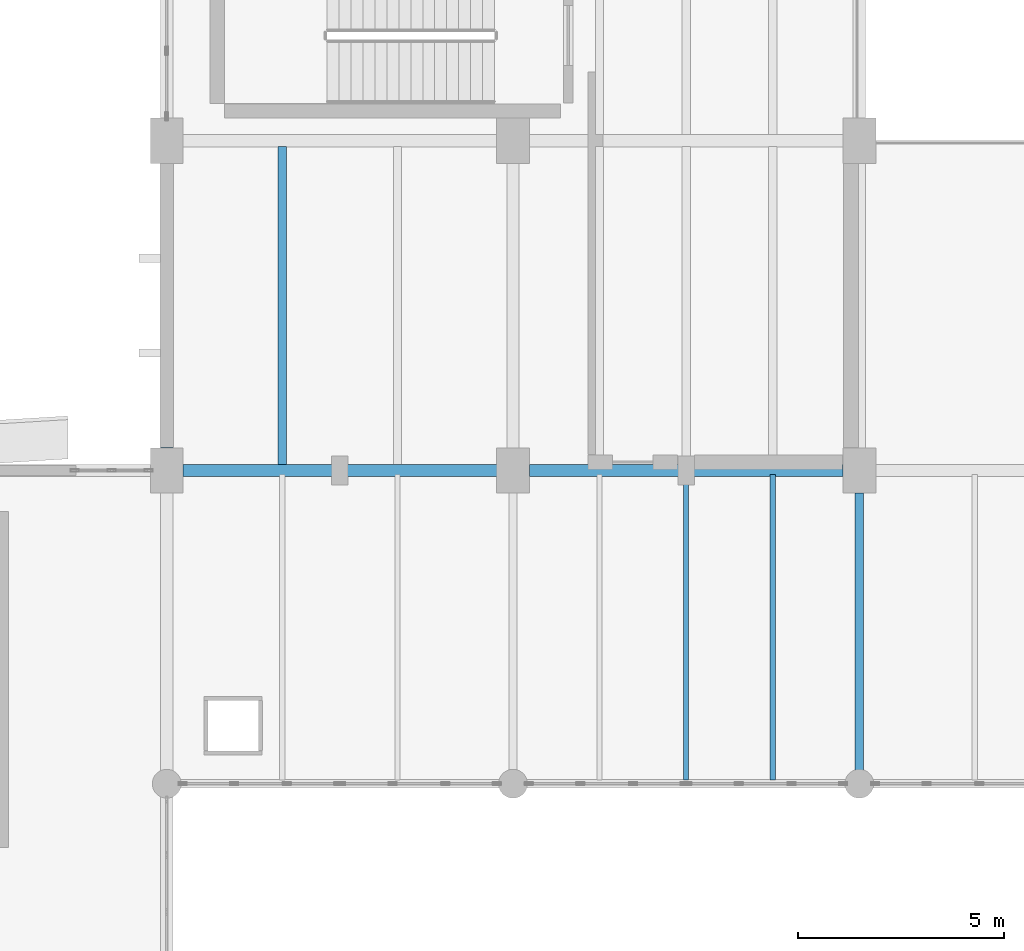
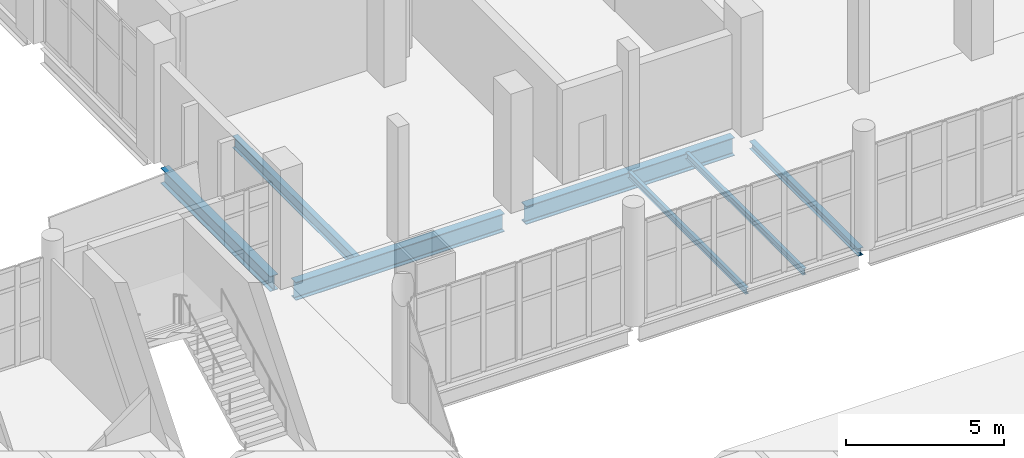
# One storey, part 46 of 136: 7 beams.
"""IFC4 building model written with IfcOpenShell, lengths in metres."""

from ifc_helpers import new_model, si_unit, direction, frame, origin, origin_2d, place, context, subcontext, project, spatial, i_section, extrude, material, material_profile, profile_set, type_object, element, save


model = new_model("IFC4")

# Units and contexts
model_context = context("Model", 3, precision=1e-05, world=origin(), true_north=direction((0.0, 1.0)))
body_context = subcontext(model_context, "Body", "Model", "MODEL_VIEW")
ifc_project = project(units=[si_unit("LENGTHUNIT", "METRE"), si_unit("AREAUNIT", "SQUARE_METRE"), si_unit("VOLUMEUNIT", "CUBIC_METRE"), si_unit("PLANEANGLEUNIT", "RADIAN"), si_unit("MASSUNIT", "GRAM", prefix="KILO")], contexts=[model_context])

# Site, building, storey
site_placement = place(None, origin())
site = spatial("IfcSite", under=ifc_project, at=site_placement, CompositionType="ELEMENT")
building_placement = place(site_placement, origin())
building = spatial("IfcBuilding", under=site, at=building_placement, Name="Shengluoqiao Park Theatre", CompositionType="ELEMENT")
storey_placement = place(building_placement, frame((0.0, 0.0, 10.0)))
storey = spatial("IfcBuildingStorey", under=building, at=storey_placement, Name="L02", CompositionType="ELEMENT", Elevation=10.0)

# Beams
ifc_material_1 = material(Name="Steel Q355", Category="steel")
ifc_material_profile_1 = material_profile(ifc_material_1, i_section(OverallWidth=0.199951171875, OverallDepth=0.2939453125, WebThickness=0.008056640625, FlangeThickness=0.011962890625, FilletRadius=0.01611328125, at=origin_2d()), Name="HM 294x200x8x12")
ifc_profile_set_1 = profile_set([ifc_material_profile_1], Name="Steel Q355")
beam_type_1 = type_object("IfcBeamType", Name="STR-BM-G-HM294", PredefinedType="BEAM", material=ifc_profile_set_1)
beam_1_placement = place(storey_placement, frame((61.199951171875, 68.593994140625, -0.39697265625), z_axis=(0.0, 1.0, 0.0), x_axis=(-1.0, 0.0, 0.0)))
element("IfcBeam", 1, at=beam_1_placement, inside=storey, type_object=beam_type_1, Name="L02 Transverse Girder 00992", PredefinedType="BEAM", context=body_context, shape_type="SweptSolid", body=[
    extrude(i_section(OverallWidth=0.199951171875, OverallDepth=0.2939453125, WebThickness=0.008056640625, FlangeThickness=0.011962890625, FilletRadius=0.01611328125, at=origin_2d()), origin(), (0.0, 0.0, 1.0), 6.862060546875),
])
ifc_material_profile_2 = material_profile(ifc_material_1, i_section(OverallWidth=0.300048828125, OverallDepth=0.587890625, WebThickness=0.011962890625, FlangeThickness=0.02001953125, FilletRadius=0.02392578125, at=origin_2d()), Name="HM 588x300x12x20")
ifc_profile_set_2 = profile_set([ifc_material_profile_2], Name="Steel Q355")
beam_type_2 = type_object("IfcBeamType", Name="STR-BM-G-HM588", PredefinedType="BEAM", material=ifc_profile_set_2)
beam_2_placement = place(storey_placement, frame((44.39990234375, 76.5439453125, -0.533935546875), z_axis=(0.0, 1.0, 0.0), x_axis=(-1.0, 0.0, 0.0)))
element("IfcBeam", 2, at=beam_2_placement, inside=storey, type_object=beam_type_2, Name="L02 Transverse Girder 00798", PredefinedType="BEAM", context=body_context, shape_type="SweptSolid", body=[
    extrude(i_section(OverallWidth=0.300048828125, OverallDepth=0.587890625, WebThickness=0.011962890625, FlangeThickness=0.02001953125, FilletRadius=0.02392578125, at=origin_2d()), origin(), (0.0, 0.0, 1.0), 6.912109375),
])
ifc_material_2 = material(Name="Steel Q390", Category="steel")
ifc_material_profile_3 = material_profile(ifc_material_2, i_section(OverallWidth=0.300048828125, OverallDepth=0.699951171875, WebThickness=0.012939453125, FlangeThickness=0.02392578125, FilletRadius=0.02392578125, at=origin_2d()), Name="HN 700x300x13x24")
ifc_profile_set_3 = profile_set([ifc_material_profile_3], Name="Steel Q390")
beam_type_3 = type_object("IfcBeamType", Name="STR-BM-G-HN700", PredefinedType="BEAM", material=ifc_profile_set_3)
beam_3_placement = place(storey_placement, frame((44.7939453125, 76.0, -0.590087890625), z_axis=(1.0, 0.0, 0.0), x_axis=(0.0, 1.0, 0.0)))
element("IfcBeam", 3, at=beam_3_placement, inside=storey, type_object=beam_type_3, Name="L02 Primary Girder 00787", PredefinedType="BEAM", context=body_context, shape_type="SweptSolid", body=[
    extrude(i_section(OverallWidth=0.300048828125, OverallDepth=0.699951171875, WebThickness=0.012939453125, FlangeThickness=0.02392578125, FilletRadius=0.02392578125, at=origin_2d()), origin(), (0.0, 0.0, 1.0), 7.612060546875),
])
beam_4_placement = place(storey_placement, frame((53.194091796875, 76.0, -0.60009765625), z_axis=(1.0, 0.0, 0.0), x_axis=(0.0, 1.0, 0.0)))
element("IfcBeam", 4, at=beam_4_placement, inside=storey, type_object=beam_type_3, Name="L02 Primary Girder 00788", PredefinedType="BEAM", context=body_context, shape_type="SweptSolid", body=[
    extrude(i_section(OverallWidth=0.300048828125, OverallDepth=0.699951171875, WebThickness=0.012939453125, FlangeThickness=0.02392578125, FilletRadius=0.02392578125, at=origin_2d()), origin(), (0.0, 0.0, 1.0), 7.61181640625),
])
ifc_material_profile_4 = material_profile(ifc_material_1, i_section(OverallWidth=0.125, OverallDepth=0.25, WebThickness=0.006103515625, FlangeThickness=0.009033203125, FilletRadius=0.010009765625, at=origin_2d()), Name="HN 250x125x6x9")
ifc_profile_set_4 = profile_set([ifc_material_profile_4], Name="Steel Q355")
beam_type_4 = type_object("IfcBeamType", Name="STR-BM-J-HN250", PredefinedType="JOIST", material=ifc_profile_set_4)
for number, where, z_axis, x_axis, name in (
    (5, (57.0, 68.494384765625, -0.364990234375), (0.0, 1.0, 0.0), (-1.0, 0.0, 0.0), "L02 Composite Joist 00998"),
    (6, (59.10009765625, 68.494384765625, -0.364990234375), (0.0, 1.0, 0.0), (-1.0, 0.0, 0.0), "L02 Composite Joist 00999"),
):
    element("IfcBeam", number, at=place(storey_placement, frame(where, z_axis=z_axis, x_axis=x_axis)), inside=storey, type_object=beam_type_4, Name=name, PredefinedType="JOIST", context=body_context, shape_type="SweptSolid", body=[
        extrude(i_section(OverallWidth=0.125, OverallDepth=0.25, WebThickness=0.006103515625, FlangeThickness=0.009033203125, FilletRadius=0.010009765625, at=origin_2d()), origin(), (0.0, 0.0, 1.0), 7.4111328125),
    ])
ifc_material_profile_5 = material_profile(ifc_material_1, i_section(OverallWidth=0.199951171875, OverallDepth=0.449951171875, WebThickness=0.009033203125, FlangeThickness=0.013916015625, FilletRadius=0.01611328125, at=origin_2d()), Name="HN 450x200x9x14")
ifc_profile_set_5 = profile_set([ifc_material_profile_5], Name="Steel Q355")
beam_type_5 = type_object("IfcBeamType", Name="STR-BM-J-HN450", PredefinedType="JOIST", material=ifc_profile_set_5)
beam_5_placement = place(storey_placement, frame((47.199951171875, 76.14501953125, -0.465087890625), z_axis=(0.0, 1.0, 0.0), x_axis=(-1.0, 0.0, 0.0)))
element("IfcBeam", 7, at=beam_5_placement, inside=storey, type_object=beam_type_5, Name="L02 Composite Joist 00811", PredefinedType="JOIST", context=body_context, shape_type="SweptSolid", body=[
    extrude(i_section(OverallWidth=0.199951171875, OverallDepth=0.449951171875, WebThickness=0.009033203125, FlangeThickness=0.013916015625, FilletRadius=0.01611328125, at=origin_2d()), origin(), (0.0, 0.0, 1.0), 7.7099609375),
])

save(model, "model.ifc")
